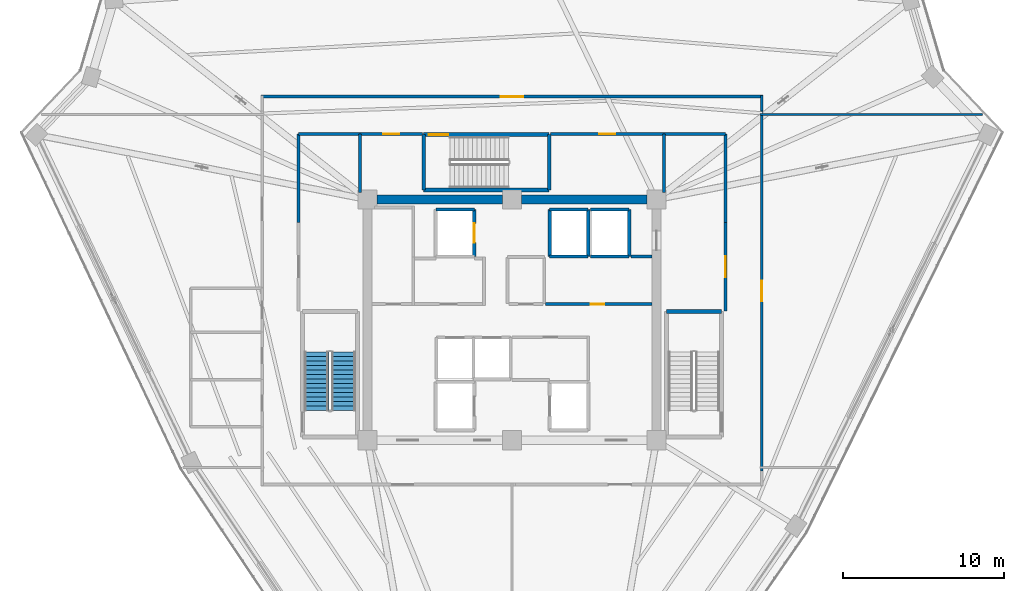
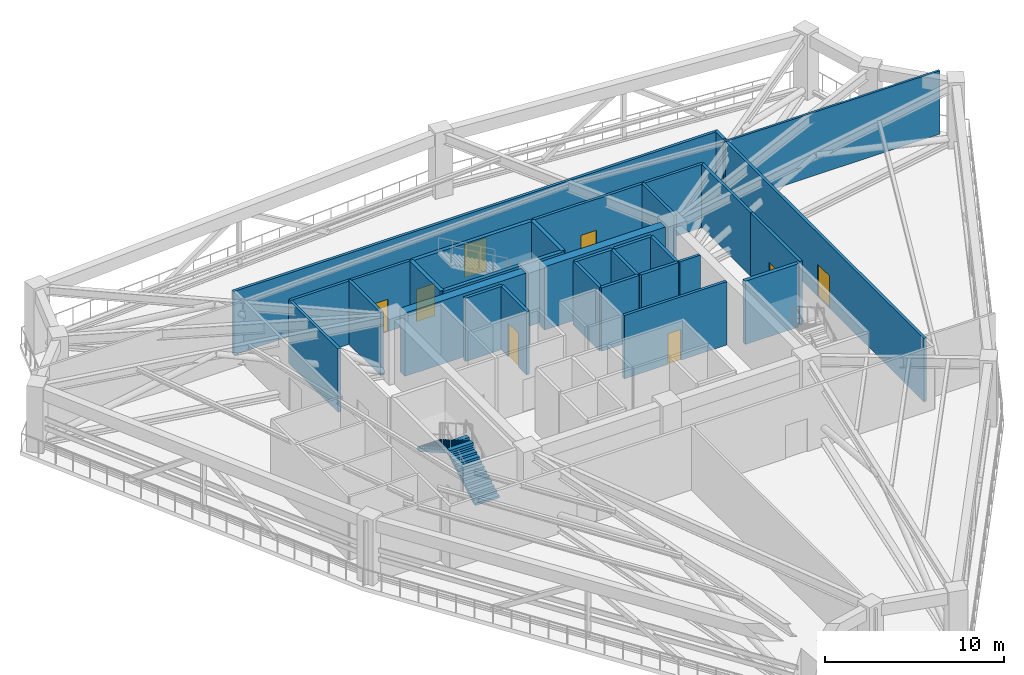
# One storey, part 16 of 22: 31 walls, 8 doors, 2 stair flights, 8 openings, 1 element without a shape of its own.
"""IFC4 building model written with IfcOpenShell, lengths in metres."""

import ifcopenshell
import ifcopenshell.guid

model = None  # the IFC model being written
_history = None  # IfcOwnerHistory: only IFC2X3 demands one
_inside = {}  # id of a spatial element -> (the spatial element, [elements in it])
_under = {}  # id of a project, library or spatial element -> (it, [spatial elements below it])
_declared = {}  # id of a project -> (the project, [libraries it declares])
_typed = {}  # id of a type object -> (the type object, [elements of that type])
_made_of = {}  # id of a material, layer set ... -> (it, [elements and type objects made of it])


def new_model(schema):
    """Start an empty IFC model of exactly this schema.

    Asked for "IFC4X3", IfcOpenShell would pick the latest addendum, in which some entities
    have other attributes; the version numbers below select the first issue.
    IFC2X3 requires an IfcOwnerHistory on every rooted entity: one is made here for all.
    """
    global model, _history
    if schema == "IFC4X3":
        model = ifcopenshell.file(schema_version=(4, 3, 0, 0))
    else:
        model = ifcopenshell.file(schema=schema)
    _inside.clear()
    _under.clear()
    _declared.clear()
    _typed.clear()
    _made_of.clear()
    _history = None
    if model.schema == "IFC2X3":
        org = make("IfcOrganization", Name="unknown")
        user = make(
            "IfcPersonAndOrganization",
            ThePerson=make("IfcPerson", FamilyName="unknown"),
            TheOrganization=org,
        )
        app = make(
            "IfcApplication",
            ApplicationDeveloper=org,
            Version="unknown",
            ApplicationFullName="unknown",
            ApplicationIdentifier="unknown",
        )
        _history = make(
            "IfcOwnerHistory",
            OwningUser=user,
            OwningApplication=app,
            ChangeAction="ADDED",
            CreationDate=0,
        )
    return model


def make(cls, **values):
    """One entity of the class cls with the attributes given. An attribute that is None is left unset."""
    return model.create_entity(
        cls, **{name: value for name, value in values.items() if value is not None}
    )


def rooted(cls, **values):
    """An entity with a GlobalId (a new one), such as an element, a storey or a relation."""
    return make(cls, GlobalId=ifcopenshell.guid.new(), OwnerHistory=_history, **values)


def si_unit(unit_type, name, prefix=None):
    """IfcSIUnit, for example si_unit("LENGTHUNIT", "METRE", prefix="MILLI")."""
    return make("IfcSIUnit", UnitType=unit_type, Prefix=prefix, Name=name)


def assignment(units):
    """IfcUnitAssignment: the units of a project."""
    return None if units is None else make("IfcUnitAssignment", Units=units)


def point(xyz):
    """IfcCartesianPoint."""
    return None if xyz is None else make("IfcCartesianPoint", Coordinates=xyz)


def direction(xyz):
    """IfcDirection."""
    return None if xyz is None else make("IfcDirection", DirectionRatios=xyz)


def frame(location, z_axis=None, x_axis=None):
    """IfcAxis2Placement3D, a coordinate frame: its origin and axes. An axis left out is left unset."""
    return make(
        "IfcAxis2Placement3D",
        Location=point(location),
        Axis=direction(z_axis),
        RefDirection=direction(x_axis),
    )


def frame_2d(location, x_axis=None):
    """IfcAxis2Placement2D, a coordinate frame in the plane: its origin and x axis."""
    return make(
        "IfcAxis2Placement2D", Location=point(location), RefDirection=direction(x_axis)
    )


def origin():
    """The frame at (0, 0, 0) with its axes left unset."""
    return frame((0.0, 0.0, 0.0))


def place(relative_to, where):
    """IfcLocalPlacement: puts the frame where relative to a parent placement (None: the world)."""
    return make(
        "IfcLocalPlacement", PlacementRelTo=relative_to, RelativePlacement=where
    )


def context(
    kind, dimensions, precision=None, world=None, true_north=None, identifier=None
):
    """IfcGeometricRepresentationContext, for example the 3D "Model" context."""
    return make(
        "IfcGeometricRepresentationContext",
        ContextIdentifier=identifier,
        ContextType=kind,
        CoordinateSpaceDimension=dimensions,
        Precision=precision,
        WorldCoordinateSystem=world,
        TrueNorth=true_north,
    )


def subcontext(parent, identifier, kind, view, scale=None):
    """IfcGeometricRepresentationSubContext, for example "Body" below "Model"."""
    return make(
        "IfcGeometricRepresentationSubContext",
        ContextIdentifier=identifier,
        ContextType=kind,
        ParentContext=parent,
        TargetScale=scale,
        TargetView=view,
    )


def project(units=None, contexts=None):
    """IfcProject with its units and contexts."""
    return rooted(
        "IfcProject",
        Name="project",
        RepresentationContexts=contexts,
        UnitsInContext=assignment(units),
    )


def spatial(cls, under=None, at=None, **own):
    """A site, building, storey or space (cls), placed at a placement, below another one or the project."""
    s = rooted(cls, ObjectPlacement=at, **own)
    if under is not None:
        _under.setdefault(under.id(), (under, []))[1].append(s)
    return s


def polyline(points):
    """IfcPolyline through the points."""
    return make("IfcPolyline", Points=[point(p) for p in points])


def profile(cls, at=None, kind="AREA", **sizes):
    """A parametric profile (cls). Its sizes go by their IFC names, for example OverallWidth=200.0."""
    return make(cls, ProfileType=kind, Position=at, **sizes)


def rectangle(**sizes):
    """IfcRectangleProfileDef."""
    return profile("IfcRectangleProfileDef", **sizes)


def outline(outer, holes=None, kind="AREA"):
    """IfcArbitraryClosedProfileDef: a profile drawn as a closed curve; with holes, ...WithVoids."""
    if holes is None:
        return make("IfcArbitraryClosedProfileDef", ProfileType=kind, OuterCurve=outer)
    return make(
        "IfcArbitraryProfileDefWithVoids",
        ProfileType=kind,
        OuterCurve=outer,
        InnerCurves=holes,
    )


def extrude(swept, where, along, depth):
    """IfcExtrudedAreaSolid: the profile swept, set in the frame where, extruded along a direction by depth."""
    return make(
        "IfcExtrudedAreaSolid",
        SweptArea=swept,
        Position=where,
        ExtrudedDirection=direction(along),
        Depth=depth,
    )


def shape(context_of_items, identifier, shape_type, items):
    """IfcShapeRepresentation: the items that make up one representation, for example the "Body"."""
    return make(
        "IfcShapeRepresentation",
        ContextOfItems=context_of_items,
        RepresentationIdentifier=identifier,
        RepresentationType=shape_type,
        Items=items,
    )


def source(mapping_origin, context_of_items, identifier, shape_type, items):
    """IfcRepresentationMap: a shape defined once, which mapped items show again and again."""
    return make(
        "IfcRepresentationMap",
        MappingOrigin=mapping_origin,
        MappedRepresentation=shape(context_of_items, identifier, shape_type, items),
    )


def transform(
    local_origin,
    x_axis=None,
    y_axis=None,
    z_axis=None,
    scale=None,
    scale2=None,
    scale3=None,
    uniform=True,
):
    """IfcCartesianTransformationOperator3D, or its non-uniform kind. x_axis, y_axis, z_axis: its Axis1, 2, 3."""
    if uniform:
        return make(
            "IfcCartesianTransformationOperator3D",
            Axis1=direction(x_axis),
            Axis2=direction(y_axis),
            LocalOrigin=point(local_origin),
            Scale=scale,
            Axis3=direction(z_axis),
        )
    return make(
        "IfcCartesianTransformationOperator3DnonUniform",
        Axis1=direction(x_axis),
        Axis2=direction(y_axis),
        LocalOrigin=point(local_origin),
        Scale=scale,
        Axis3=direction(z_axis),
        Scale2=scale2,
        Scale3=scale3,
    )


def mapped(mapping_source, mapping_target):
    """IfcMappedItem: shows the shape of a source again, moved by a transform."""
    return make(
        "IfcMappedItem", MappingSource=mapping_source, MappingTarget=mapping_target
    )


def material(Name=None, Category=None):
    """IfcMaterial."""
    return make("IfcMaterial", Name=Name, Category=Category)


def layer(
    of_material, thickness, ventilated=None, Name=None, Category=None, Priority=None
):
    """IfcMaterialLayer: one layer of a wall or slab, of a material (None: an air gap)."""
    return make(
        "IfcMaterialLayer",
        Material=of_material,
        LayerThickness=thickness,
        IsVentilated=ventilated,
        Name=Name,
        Category=Category,
        Priority=Priority,
    )


def layer_set(layers, Name=None):
    """IfcMaterialLayerSet."""
    return make("IfcMaterialLayerSet", MaterialLayers=layers, LayerSetName=Name)


def made_of(thing, what):
    """Note that an element or type object is made of a material, layer set ...; save() writes the relation."""
    if what is not None:
        _made_of.setdefault(what.id(), (what, []))[1].append(thing)
    return thing


def type_object(cls, material=None, **own):
    """A type object (cls), such as IfcWallType, which elements share."""
    return made_of(rooted(cls, **own), material)


def element(
    cls,
    number,
    at=None,
    inside=None,
    cuts=None,
    type_object=None,
    material=None,
    context=None,
    identifier="Body",
    shape_type=None,
    held_by="IfcProductDefinitionShape",
    body=None,
    shapes=None,
    **own,
):
    """One element of the class cls, such as IfcWall. Its Tag is "e" and its number.

    at: its placement. inside: the storey or other place that contains it. cuts: it is an
    opening in that element (IfcRelVoidsElement). A single representation is given by context,
    identifier, shape_type and body (its items); several are given by shapes. held_by: the class
    of the entity that holds the representations. save() writes the other relations.
    """
    e = rooted(cls, Tag="e%d" % number, ObjectPlacement=at, **own)
    if body is not None:
        shapes = [shape(context, identifier, shape_type, body)]
    if shapes is not None:
        e.Representation = make(held_by, Representations=shapes)
    if inside is not None:
        _inside.setdefault(inside.id(), (inside, []))[1].append(e)
    if cuts is not None:
        rooted(
            "IfcRelVoidsElement", RelatingBuildingElement=cuts, RelatedOpeningElement=e
        )
    if type_object is not None:
        _typed.setdefault(type_object.id(), (type_object, []))[1].append(e)
    return made_of(e, material)


def fill(opening, filler):
    """IfcRelFillsElement: the door or window that sits in an opening."""
    return rooted(
        "IfcRelFillsElement",
        RelatingOpeningElement=opening,
        RelatedBuildingElement=filler,
    )


def aggregate(whole, parts):
    """IfcRelAggregates: a whole, such as a stair, and the parts it consists of."""
    return rooted("IfcRelAggregates", RelatingObject=whole, RelatedObjects=parts)


def save(model, path):
    """Write the relations noted so far, then the file.

    IfcRelAggregates (storeys below a building ...), IfcRelContainedInSpatialStructure (elements
    in a storey), IfcRelDefinesByType, IfcRelAssociatesMaterial and IfcRelDeclares: one each for
    every whole, place, type object, material and project.
    """
    for whole, parts in _under.values():
        aggregate(whole, parts)
    for where, things in _inside.values():
        rooted(
            "IfcRelContainedInSpatialStructure",
            RelatedElements=things,
            RelatingStructure=where,
        )
    for kind, things in _typed.values():
        rooted("IfcRelDefinesByType", RelatedObjects=things, RelatingType=kind)
    for what, things in _made_of.values():
        rooted("IfcRelAssociatesMaterial", RelatedObjects=things, RelatingMaterial=what)
    for by, libraries in _declared.values():
        rooted("IfcRelDeclares", RelatingContext=by, RelatedDefinitions=libraries)
    model.write(path)


model = new_model("IFC4")

# Units and contexts
model_context = context("Model", 3, precision=1e-05, world=origin(), true_north=direction((0.0, 1.0)))
body_context = subcontext(model_context, "Body", "Model", "MODEL_VIEW")
ifc_project = project(units=[si_unit("LENGTHUNIT", "METRE"), si_unit("AREAUNIT", "SQUARE_METRE"), si_unit("VOLUMEUNIT", "CUBIC_METRE"), si_unit("PLANEANGLEUNIT", "RADIAN"), si_unit("MASSUNIT", "GRAM", prefix="KILO")], contexts=[model_context])

# Site, building, storey
site_placement = place(None, origin())
site = spatial("IfcSite", under=ifc_project, at=site_placement, CompositionType="ELEMENT")
building_placement = place(site_placement, origin())
building = spatial("IfcBuilding", under=site, at=building_placement, Name="Liaohun Quay Tower", CompositionType="ELEMENT")
storey_placement = place(building_placement, frame((0.0, 0.0, 324.0)))
storey = spatial("IfcBuildingStorey", under=building, at=storey_placement, Name="L84", CompositionType="ELEMENT", Elevation=324.0)

# Walls
ifc_material_1 = material(Name="Concrete C50", Category="concrete")
ifc_layer_1 = layer(ifc_material_1, 0.550048828125, Name="Concrete C50", Category="concrete")
ifc_layer_set_1 = layer_set([ifc_layer_1], Name="Concrete C50")
wall_type_1 = type_object("IfcWallType", Name="WAL-COR-Z4", PredefinedType="SHEAR", material=ifc_layer_set_1)
for number, where, z_axis, x_axis, name in (
    (1, (51.60009765625, 61.5, 0.0), (0.0, 0.0, 1.0), (1.0, 0.0, 0.0), "L84 Central Core Shear Wall N-W"),
    (2, (60.60009765625, 61.5, 0.0), (0.0, 0.0, 1.0), (1.0, 0.0, 0.0), "L84 Central Core Shear Wall N-E"),
):
    element("IfcWall", number, at=place(storey_placement, frame(where, z_axis=z_axis, x_axis=x_axis)), inside=storey, type_object=wall_type_1, Name=name, PredefinedType="SHEAR", context=body_context, shape_type="SweptSolid", body=[
        extrude(rectangle(XDim=7.7998046875, YDim=0.550048828125, at=frame_2d((3.89990234375, 0.0))), origin(), (0.0, 0.0, 1.0), 4.320068359375),
    ])

# Wall, opening, door
ifc_material_2 = material(Name="Autoclaved aerated concrete blockwork", Category="masonry")
ifc_layer_2 = layer(ifc_material_2, 0.179931640625, Name="Autoclaved aerated concrete blockwork", Category="masonry")
ifc_layer_set_2 = layer_set([ifc_layer_2], Name="Autoclaved aerated concrete blockwork")
wall_type_2 = type_object("IfcWallType", Name="WAL-PRT-COR", PredefinedType="PARTITIONING", material=ifc_layer_set_2)
wall_1_placement = place(storey_placement, frame((62.10009765625, 54.97998046875, 0.0), z_axis=(0.0, 0.0, 1.0), x_axis=(1.0, 0.0, 0.0)))
wall_1 = element("IfcWall", 3, at=wall_1_placement, inside=storey, type_object=wall_type_2, Name="L84 Interior Partition Wall 004", PredefinedType="PARTITIONING", context=body_context, shape_type="SweptSolid", body=[
    extrude(rectangle(XDim=6.625, YDim=0.179931640625, at=frame_2d((3.3125, 0.0))), origin(), (0.0, 0.0, 1.0), 4.320068359375),
])
shared_shape_1 = source(origin(), body_context, "Body", "SweptSolid", [
    extrude(rectangle(XDim=0.85009765625, YDim=2.10009765625, at=frame_2d((0.425048828125, 1.050048828125))), frame((0.0, 0.099853515625, 0.0), z_axis=(0.0, -1.0, 0.0), x_axis=(1.0, 0.0, 0.0)), (0.0, 0.0, 1.0), 0.199951171875),
])
opening_1_placement = place(wall_1_placement, frame((2.800048828125, 0.0, 0.0)))
opening_1 = element("IfcOpeningElement", 4, at=opening_1_placement, cuts=wall_1, Name="Opening AD1", PredefinedType="OPENING", context=body_context, shape_type="MappedRepresentation", body=[
    mapped(shared_shape_1, transform((0.0, 0.0, 0.0), x_axis=(1.0, 0.0, 0.0), y_axis=(0.0, 1.0, 0.0), z_axis=(0.0, 0.0, 1.0), scale=1.0)),
])
ifc_material_3 = material(Name="Steel riser inspection fire door", Category="steel")
door_type_1 = type_object("IfcDoorType", Name="DOR-SHF-850", OperationType="NOTDEFINED", PredefinedType="DOOR", material=ifc_material_3)
shared_shape_2 = source(origin(), body_context, "Body", "SweptSolid", [
    extrude(rectangle(XDim=0.85009765625, YDim=2.10009765625, at=frame_2d((0.425048828125, 1.050048828125))), frame((0.0, 0.02490234375, 0.0), z_axis=(0.0, -1.0, 0.0), x_axis=(1.0, 0.0, 0.0)), (0.0, 0.0, 1.0), 0.050048828125),
])
door_1_placement = place(opening_1_placement, origin())
door_1 = element("IfcDoor", 5, at=door_1_placement, inside=storey, type_object=door_type_1, Name="L84 Core Facilities and Cleaner Store Door", OperationType="SINGLE_SWING_LEFT", OverallHeight=2.10009765625, OverallWidth=0.85009765625, PredefinedType="DOOR", context=body_context, shape_type="MappedRepresentation", body=[
    mapped(shared_shape_2, transform((0.0, 0.0, 0.0), x_axis=(1.0, 0.0, 0.0), y_axis=(0.0, 1.0, 0.0), z_axis=(0.0, 0.0, 1.0), scale=1.0)),
])
fill(opening_1, door_1)

wall_2_placement = place(storey_placement, frame((50.5400390625, 65.580078125, 0.0), z_axis=(0.0, 0.0, 1.0), x_axis=(1.0, 0.0, 0.0)))
wall_2 = element("IfcWall", 6, at=wall_2_placement, inside=storey, type_object=wall_type_2, Name="L84 Interior Partition Wall 009", PredefinedType="PARTITIONING", context=body_context, shape_type="SweptSolid", body=[
    extrude(rectangle(XDim=3.869873046875, YDim=0.179931640625, at=frame_2d((1.93505859375, 0.0))), origin(), (0.0, 0.0, 1.0), 4.320068359375),
])
shared_shape_3 = source(origin(), body_context, "Body", "SweptSolid", [
    extrude(rectangle(XDim=1.0, YDim=2.199951171875, at=frame_2d((0.5, 1.10009765625))), frame((0.0, 0.099853515625, 0.0), z_axis=(0.0, -1.0, 0.0), x_axis=(1.0, 0.0, 0.0)), (0.0, 0.0, 1.0), 0.199951171875),
])
opening_2_placement = place(wall_2_placement, frame((1.43505859375, 0.0, 0.0)))
opening_2 = element("IfcOpeningElement", 7, at=opening_2_placement, cuts=wall_2, Name="Opening OD1", PredefinedType="OPENING", context=body_context, shape_type="MappedRepresentation", body=[
    mapped(shared_shape_3, transform((0.0, 0.0, 0.0), x_axis=(1.0, 0.0, 0.0), y_axis=(0.0, 1.0, 0.0), z_axis=(0.0, 0.0, 1.0), scale=1.0)),
])
ifc_material_4 = material(Name="Solid-core oak veneer timber leaf in steel frame", Category="steel")
door_type_2 = type_object("IfcDoorType", Name="DOR-OFF-1000", OperationType="NOTDEFINED", PredefinedType="DOOR", material=ifc_material_4)
shared_shape_4 = source(origin(), body_context, "Body", "SweptSolid", [
    extrude(rectangle(XDim=1.0, YDim=2.199951171875, at=frame_2d((0.5, 1.10009765625))), frame((0.0, 0.02490234375, 0.0), z_axis=(0.0, -1.0, 0.0), x_axis=(1.0, 0.0, 0.0)), (0.0, 0.0, 1.0), 0.050048828125),
])
door_2_placement = place(opening_2_placement, origin())
door_2 = element("IfcDoor", 8, at=door_2_placement, inside=storey, type_object=door_type_2, Name="L84 North-West Print and Telecom Room Door", OperationType="SINGLE_SWING_RIGHT", OverallHeight=2.199951171875, OverallWidth=1.0, PredefinedType="DOOR", context=body_context, shape_type="MappedRepresentation", body=[
    mapped(shared_shape_4, transform((0.0, 0.0, 0.0), x_axis=(1.0, 0.0, 0.0), y_axis=(0.0, 1.0, 0.0), z_axis=(0.0, 0.0, 1.0), scale=1.0)),
])
fill(opening_2, door_2)

wall_3_placement = place(storey_placement, frame((62.389892578125, 65.580078125, 0.0), z_axis=(0.0, 0.0, 1.0), x_axis=(1.0, 0.0, 0.0)))
wall_3 = element("IfcWall", 9, at=wall_3_placement, inside=storey, type_object=wall_type_2, Name="L84 Interior Partition Wall 010", PredefinedType="PARTITIONING", context=body_context, shape_type="SweptSolid", body=[
    extrude(rectangle(XDim=7.070068359375, YDim=0.179931640625, at=frame_2d((3.53515625, 0.0))), origin(), (0.0, 0.0, 1.0), 4.320068359375),
])
opening_3_placement = place(wall_3_placement, frame((3.034912109375, 0.0, 0.0)))
opening_3 = element("IfcOpeningElement", 10, at=opening_3_placement, cuts=wall_3, Name="Opening OD1", PredefinedType="OPENING", context=body_context, shape_type="MappedRepresentation", body=[
    mapped(shared_shape_3, transform((0.0, 0.0, 0.0), x_axis=(1.0, 0.0, 0.0), y_axis=(0.0, 1.0, 0.0), z_axis=(0.0, 0.0, 1.0), scale=1.0)),
])
door_3_placement = place(opening_3_placement, origin())
door_3 = element("IfcDoor", 11, at=door_3_placement, inside=storey, type_object=door_type_2, Name="L84 North-East Archive and Mail Room Door", OperationType="SINGLE_SWING_LEFT", OverallHeight=2.199951171875, OverallWidth=1.0, PredefinedType="DOOR", context=body_context, shape_type="MappedRepresentation", body=[
    mapped(shared_shape_4, transform((0.0, 0.0, 0.0), x_axis=(1.0, 0.0, 0.0), y_axis=(0.0, 1.0, 0.0), z_axis=(0.0, 0.0, 1.0), scale=1.0)),
])
fill(opening_3, door_3)

wall_4_placement = place(storey_placement, frame((73.300048828125, 54.5400390625, 0.0), z_axis=(0.0, 0.0, 1.0), x_axis=(0.0, 1.0, 0.0)))
wall_4 = element("IfcWall", 12, at=wall_4_placement, inside=storey, type_object=wall_type_2, Name="L84 Interior Partition Wall 012", PredefinedType="PARTITIONING", context=body_context, shape_type="SweptSolid", body=[
    extrude(rectangle(XDim=5.52001953125, YDim=0.179931640625, at=frame_2d((2.760009765625, 0.0))), origin(), (0.0, 0.0, 1.0), 4.320068359375),
])
shared_shape_5 = source(origin(), body_context, "Body", "SweptSolid", [
    extrude(rectangle(XDim=1.300048828125, YDim=2.199951171875, at=frame_2d((0.64990234375, 1.10009765625))), frame((0.0, 0.099853515625, 0.0), z_axis=(0.0, -1.0, 0.0), x_axis=(1.0, 0.0, 0.0)), (0.0, 0.0, 1.0), 0.199951171875),
])
opening_4_placement = place(wall_4_placement, frame((2.110107421875, 0.0, 0.0)))
opening_4 = element("IfcOpeningElement", 13, at=opening_4_placement, cuts=wall_4, Name="Opening FD1", PredefinedType="OPENING", context=body_context, shape_type="MappedRepresentation", body=[
    mapped(shared_shape_5, transform((0.0, 0.0, 0.0), x_axis=(1.0, 0.0, 0.0), y_axis=(0.0, 1.0, 0.0), z_axis=(0.0, 0.0, 1.0), scale=1.0)),
])
ifc_material_5 = material(Name="Galvanised steel smokeproof fire door", Category="steel")
door_type_3 = type_object("IfcDoorType", Name="DOR-FFL-1300", OperationType="NOTDEFINED", PredefinedType="DOOR", material=ifc_material_5)
shared_shape_6 = source(origin(), body_context, "Body", "SweptSolid", [
    extrude(rectangle(XDim=1.300048828125, YDim=2.199951171875, at=frame_2d((0.64990234375, 1.10009765625))), frame((0.0, 0.02490234375, 0.0), z_axis=(0.0, -1.0, 0.0), x_axis=(1.0, 0.0, 0.0)), (0.0, 0.0, 1.0), 0.050048828125),
])
door_4_placement = place(opening_4_placement, origin())
door_4 = element("IfcDoor", 14, at=door_4_placement, inside=storey, type_object=door_type_3, Name="L84 East Core Vestibule Door", OperationType="SINGLE_SWING_LEFT", OverallHeight=2.199951171875, OverallWidth=1.300048828125, PredefinedType="DOOR", context=body_context, shape_type="MappedRepresentation", body=[
    mapped(shared_shape_6, transform((0.0, 0.0, 0.0), x_axis=(1.0, 0.0, 0.0), y_axis=(0.0, 1.0, 0.0), z_axis=(0.0, 0.0, 1.0), scale=1.0)),
])
fill(opening_4, door_4)

wall_5_placement = place(storey_placement, frame((75.56005859375, 67.014892578125, 0.0), z_axis=(0.0, 0.0, 1.0), x_axis=(0.0, -1.0, 0.0)))
wall_5 = element("IfcWall", 15, at=wall_5_placement, inside=storey, type_object=wall_type_2, Name="L84 Interior Partition Wall 013", PredefinedType="PARTITIONING", context=body_context, shape_type="SweptSolid", body=[
    extrude(rectangle(XDim=22.429931640625, YDim=0.179931640625, at=frame_2d((11.21484375, 0.0))), origin(), (0.0, 0.0, 1.0), 4.320068359375),
])
opening_5_placement = place(wall_5_placement, frame((10.56494140625, 0.0, 0.0)))
opening_5 = element("IfcOpeningElement", 16, at=opening_5_placement, cuts=wall_5, Name="Opening FD1", PredefinedType="OPENING", context=body_context, shape_type="MappedRepresentation", body=[
    mapped(shared_shape_5, transform((0.0, 0.0, 0.0), x_axis=(1.0, 0.0, 0.0), y_axis=(0.0, 1.0, 0.0), z_axis=(0.0, 0.0, 1.0), scale=1.0)),
])
door_5_placement = place(opening_5_placement, origin())
door_5 = element("IfcDoor", 17, at=door_5_placement, inside=storey, type_object=door_type_3, Name="L84 South Pressurised Fire Refuge Area Door", OperationType="SINGLE_SWING_RIGHT", OverallHeight=2.199951171875, OverallWidth=1.300048828125, PredefinedType="DOOR", context=body_context, shape_type="MappedRepresentation", body=[
    mapped(shared_shape_6, transform((0.0, 0.0, 0.0), x_axis=(1.0, 0.0, 0.0), y_axis=(0.0, 1.0, 0.0), z_axis=(0.0, 0.0, 1.0), scale=1.0)),
])
fill(opening_5, door_5)

wall_6_placement = place(storey_placement, frame((44.3701171875, 67.909912109375, 0.0), z_axis=(0.0, 0.0, 1.0), x_axis=(1.0, 0.0, 0.0)))
wall_6 = element("IfcWall", 18, at=wall_6_placement, inside=storey, type_object=wall_type_2, Name="L84 Interior Partition Wall 014", PredefinedType="PARTITIONING", context=body_context, shape_type="SweptSolid", body=[
    extrude(rectangle(XDim=31.259765625, YDim=0.179931640625, at=frame_2d((15.6298828125, 0.0))), origin(), (0.0, 0.0, 1.0), 4.320068359375),
])
shared_shape_7 = source(origin(), body_context, "Body", "SweptSolid", [
    extrude(rectangle(XDim=1.39990234375, YDim=2.25, at=frame_2d((0.699951171875, 1.125))), frame((0.0, 0.099853515625, 0.0), z_axis=(0.0, -1.0, 0.0), x_axis=(1.0, 0.0, 0.0)), (0.0, 0.0, 1.0), 0.199951171875),
])
opening_6_placement = place(wall_6_placement, frame((14.929931640625, 0.0, 0.0)))
opening_6 = element("IfcOpeningElement", 19, at=opening_6_placement, cuts=wall_6, Name="Opening MD1", PredefinedType="OPENING", context=body_context, shape_type="MappedRepresentation", body=[
    mapped(shared_shape_7, transform((0.0, 0.0, 0.0), x_axis=(1.0, 0.0, 0.0), y_axis=(0.0, 1.0, 0.0), z_axis=(0.0, 0.0, 1.0), scale=1.0)),
])
ifc_material_6 = material(Name="Insulated steel plant room door", Category="steel")
door_type_4 = type_object("IfcDoorType", Name="DOR-MEP-1400", OperationType="DOUBLE_DOOR_SINGLE_SWING", PredefinedType="DOOR", material=ifc_material_6)
shared_shape_8 = source(origin(), body_context, "Body", "SweptSolid", [
    extrude(rectangle(XDim=1.39990234375, YDim=2.25, at=frame_2d((0.699951171875, 1.125))), frame((0.0, 0.02490234375, 0.0), z_axis=(0.0, -1.0, 0.0), x_axis=(1.0, 0.0, 0.0)), (0.0, 0.0, 1.0), 0.050048828125),
])
door_6_placement = place(opening_6_placement, origin())
door_6 = element("IfcDoor", 20, at=door_6_placement, inside=storey, type_object=door_type_4, Name="L84 Southwest Zone Electrical Switch Plant Room Door", OperationType="DOUBLE_DOOR_SINGLE_SWING", OverallHeight=2.25, OverallWidth=1.39990234375, PredefinedType="DOOR", context=body_context, shape_type="MappedRepresentation", body=[
    mapped(shared_shape_8, transform((0.0, 0.0, 0.0), x_axis=(1.0, 0.0, 0.0), y_axis=(0.0, 1.0, 0.0), z_axis=(0.0, 0.0, 1.0), scale=1.0)),
])
fill(opening_6, door_6)

# Walls
for number, where, z_axis, x_axis, name in (
    (21, (50.5400390625, 61.949951171875, 0.0), (0.0, 0.0, 1.0), (0.0, 1.0, 0.0), "L84 Interior Partition Wall 026"),
    (22, (69.4599609375, 61.949951171875, 0.0), (0.0, 0.0, 1.0), (0.0, 1.0, 0.0), "L84 Interior Partition Wall 027"),
):
    element("IfcWall", number, at=place(storey_placement, frame(where, z_axis=z_axis, x_axis=x_axis)), inside=storey, type_object=wall_type_2, Name=name, PredefinedType="PARTITIONING", context=body_context, shape_type="SweptSolid", body=[
        extrude(rectangle(XDim=3.630126953125, YDim=0.179931640625, at=frame_2d((1.81494140625, 0.0))), origin(), (0.0, 0.0, 1.0), 4.320068359375),
    ])
for number, where, z_axis, x_axis, name in (
    (23, (46.699951171875, 65.580078125, 0.0), (0.0, 0.0, 1.0), (1.0, 0.0, 0.0), "L84 Interior Partition Wall 028"),
    (24, (69.4599609375, 65.580078125, 0.0), (0.0, 0.0, 1.0), (1.0, 0.0, 0.0), "L84 Interior Partition Wall 029"),
):
    element("IfcWall", number, at=place(storey_placement, frame(where, z_axis=z_axis, x_axis=x_axis)), inside=storey, type_object=wall_type_2, Name=name, PredefinedType="PARTITIONING", context=body_context, shape_type="SweptSolid", body=[
        extrude(rectangle(XDim=3.840087890625, YDim=0.179931640625, at=frame_2d((1.919921875, 0.0))), origin(), (0.0, 0.0, 1.0), 4.320068359375),
    ])
for number, where, z_axis, x_axis, name in (
    (25, (46.699951171875, 60.06005859375, 0.0), (0.0, 0.0, 1.0), (0.0, 1.0, 0.0), "L84 Interior Partition Wall 030"),
    (26, (73.300048828125, 60.06005859375, 0.0), (0.0, 0.0, 1.0), (0.0, 1.0, 0.0), "L84 Interior Partition Wall 031"),
):
    element("IfcWall", number, at=place(storey_placement, frame(where, z_axis=z_axis, x_axis=x_axis)), inside=storey, type_object=wall_type_2, Name=name, PredefinedType="PARTITIONING", context=body_context, shape_type="SweptSolid", body=[
        extrude(rectangle(XDim=5.52001953125, YDim=0.179931640625, at=frame_2d((2.760009765625, 0.0))), origin(), (0.0, 0.0, 1.0), 4.320068359375),
    ])
wall_7_placement = place(storey_placement, frame((75.56005859375, 67.97998046875, 0.0), z_axis=(0.0, 0.0, 1.0), x_axis=(0.0, -1.0, 0.0)))
element("IfcWall", 27, at=wall_7_placement, inside=storey, type_object=wall_type_2, Name="L84 Interior Partition Wall 033", PredefinedType="PARTITIONING", context=body_context, shape_type="SweptSolid", body=[
    extrude(rectangle(XDim=0.965087890625, YDim=0.179931640625, at=frame_2d((0.482421875, 0.0))), origin(), (0.0, 0.0, 1.0), 4.320068359375),
])
wall_8_placement = place(storey_placement, frame((67.39990234375, 57.949951171875, 0.0), z_axis=(0.0, 0.0, 1.0), x_axis=(1.0, 0.0, 0.0)))
element("IfcWall", 28, at=wall_8_placement, inside=storey, type_object=wall_type_2, Name="L84 Interior Partition Wall 050", PredefinedType="PARTITIONING", context=body_context, shape_type="SweptSolid", body=[
    extrude(rectangle(XDim=1.3251953125, YDim=0.179931640625, at=frame_2d((0.66259765625, 0.0))), origin(), (0.0, 0.0, 1.0), 4.320068359375),
])
ifc_material_7 = material(Name="Gypsum board on twin steel studs", Category="steel")
ifc_layer_3 = layer(ifc_material_7, 0.139892578125, Name="Gypsum board on twin steel studs", Category="steel")
ifc_layer_set_3 = layer_set([ifc_layer_3], Name="Gypsum board on twin steel studs")
wall_type_3 = type_object("IfcWallType", Name="WAL-PRT-OFF", PredefinedType="PARTITIONING", material=ifc_layer_set_3)
wall_9_placement = place(storey_placement, frame((75.4599609375, 66.800048828125, 0.0), z_axis=(0.0, 0.0, 1.0), x_axis=(1.0, 0.0, 0.0)))
element("IfcWall", 29, at=wall_9_placement, inside=storey, type_object=wall_type_3, Name="L84 Interior Partition Wall 040", PredefinedType="PARTITIONING", context=body_context, shape_type="SweptSolid", body=[
    extrude(rectangle(XDim=13.839111328125, YDim=0.139892578125, at=frame_2d((6.91943359375, 0.0))), origin(), (0.0, 0.0, 1.0), 4.320068359375),
])
ifc_layer_4 = layer(ifc_material_1, 0.239990234375, Name="Concrete C50", Category="concrete")
ifc_layer_set_4 = layer_set([ifc_layer_4], Name="Concrete C50")
wall_type_4 = type_object("IfcWallType", Name="WAL-SHF-200", PredefinedType="SOLIDWALL", material=ifc_layer_set_4)
wall_10_placement = place(storey_placement, frame((73.06005859375, 54.52001953125, 0.0), z_axis=(0.0, 0.0, 1.0), x_axis=(-1.0, 0.0, 0.0)))
element("IfcWall", 30, at=wall_10_placement, inside=storey, type_object=wall_type_4, Name="L84 Stairwell ST-2 Structural Core Wall N", PredefinedType="SOLIDWALL", context=body_context, shape_type="SweptSolid", body=[
    extrude(rectangle(XDim=3.43994140625, YDim=0.239990234375, at=frame_2d((1.719970703125, 0.0))), origin(), (0.0, 0.0, 1.0), 4.320068359375),
])
wall_11_placement = place(storey_placement, frame((54.5, 62.10009765625, 0.0), z_axis=(0.0, 0.0, 1.0), x_axis=(1.0, 0.0, 0.0)))
element("IfcWall", 31, at=wall_11_placement, inside=storey, type_object=wall_type_4, Name="L84 Stairwell ST-3 Structural Core Wall S", PredefinedType="SOLIDWALL", context=body_context, shape_type="SweptSolid", body=[
    extrude(rectangle(XDim=7.820068359375, YDim=0.239990234375, at=frame_2d((3.91015625, 0.0))), origin(), (0.0, 0.0, 1.0), 4.320068359375),
])
wall_12_placement = place(storey_placement, frame((62.320068359375, 62.10009765625, 0.0), z_axis=(0.0, 0.0, 1.0), x_axis=(0.0, 1.0, 0.0)))
element("IfcWall", 32, at=wall_12_placement, inside=storey, type_object=wall_type_4, Name="L84 Stairwell ST-3 Structural Core Wall E", PredefinedType="SOLIDWALL", context=body_context, shape_type="SweptSolid", body=[
    extrude(rectangle(XDim=3.43994140625, YDim=0.239990234375, at=frame_2d((1.719970703125, 0.0))), origin(), (0.0, 0.0, 1.0), 4.320068359375),
])

# Wall, opening, door
wall_13_placement = place(storey_placement, frame((62.320068359375, 65.5400390625, 0.0), z_axis=(0.0, 0.0, 1.0), x_axis=(-1.0, 0.0, 0.0)))
wall_13 = element("IfcWall", 33, at=wall_13_placement, inside=storey, type_object=wall_type_4, Name="L84 Stairwell ST-3 Structural Core Wall N", PredefinedType="SOLIDWALL", context=body_context, shape_type="SweptSolid", body=[
    extrude(rectangle(XDim=7.820068359375, YDim=0.239990234375, at=frame_2d((3.91015625, 0.0))), origin(), (0.0, 0.0, 1.0), 4.320068359375),
])
shared_shape_9 = source(origin(), body_context, "Body", "SweptSolid", [
    extrude(rectangle(XDim=1.199951171875, YDim=2.199951171875, at=frame_2d((0.60009765625, 1.10009765625))), frame((0.0, 0.1298828125, 0.0), z_axis=(0.0, -1.0, 0.0), x_axis=(1.0, 0.0, 0.0)), (0.0, 0.0, 1.0), 0.260009765625),
])
opening_7_placement = place(wall_13_placement, frame((6.300048828125, 0.0, 0.0)))
opening_7 = element("IfcOpeningElement", 34, at=opening_7_placement, cuts=wall_13, Name="Opening SD1", PredefinedType="OPENING", context=body_context, shape_type="MappedRepresentation", body=[
    mapped(shared_shape_9, transform((0.0, 0.0, 0.0), x_axis=(1.0, 0.0, 0.0), y_axis=(0.0, 1.0, 0.0), z_axis=(0.0, 0.0, 1.0), scale=1.0)),
])
ifc_material_8 = material(Name="Galvanised steel fire door", Category="steel")
door_type_5 = type_object("IfcDoorType", Name="DOR-STR-1200", OperationType="NOTDEFINED", PredefinedType="DOOR", material=ifc_material_8)
shared_shape_10 = source(origin(), body_context, "Body", "SweptSolid", [
    extrude(rectangle(XDim=1.199951171875, YDim=2.199951171875, at=frame_2d((0.60009765625, 1.10009765625))), frame((0.0, 0.02490234375, 0.0), z_axis=(0.0, -1.0, 0.0), x_axis=(1.0, 0.0, 0.0)), (0.0, 0.0, 1.0), 0.050048828125),
])
door_7_placement = place(opening_7_placement, origin())
door_7 = element("IfcDoor", 35, at=door_7_placement, inside=storey, type_object=door_type_5, Name="L84 Protected Stair ST-3 Fire Door", OperationType="SINGLE_SWING_RIGHT", OverallHeight=2.199951171875, OverallWidth=1.199951171875, PredefinedType="DOOR", context=body_context, shape_type="MappedRepresentation", body=[
    mapped(shared_shape_10, transform((0.0, 0.0, 0.0), x_axis=(1.0, 0.0, 0.0), y_axis=(0.0, 1.0, 0.0), z_axis=(0.0, 0.0, 1.0), scale=1.0)),
])
fill(opening_7, door_7)

# Wall
wall_14_placement = place(storey_placement, frame((54.5, 65.5400390625, 0.0), z_axis=(0.0, 0.0, 1.0), x_axis=(0.0, -1.0, 0.0)))
element("IfcWall", 36, at=wall_14_placement, inside=storey, type_object=wall_type_4, Name="L84 Stairwell ST-3 Structural Core Wall W", PredefinedType="SOLIDWALL", context=body_context, shape_type="SweptSolid", body=[
    extrude(rectangle(XDim=3.43994140625, YDim=0.239990234375, at=frame_2d((1.719970703125, 0.0))), origin(), (0.0, 0.0, 1.0), 4.320068359375),
])

# Wall, opening, door
wall_15_placement = place(storey_placement, frame((57.64990234375, 57.949951171875, 0.0), z_axis=(0.0, 0.0, 1.0), x_axis=(0.0, 1.0, 0.0)))
wall_15 = element("IfcWall", 37, at=wall_15_placement, inside=storey, type_object=wall_type_4, Name="L84 Lift FF-03 Hoistway Wall E", PredefinedType="SOLIDWALL", context=body_context, shape_type="SweptSolid", body=[
    extrude(rectangle(XDim=2.929931640625, YDim=0.199951171875, at=frame_2d((1.46484375, 0.0))), origin(), (0.0, 0.0, 1.0), 4.320068359375),
])
shared_shape_11 = source(origin(), body_context, "Body", "SweptSolid", [
    extrude(rectangle(XDim=1.199951171875, YDim=2.300048828125, at=frame_2d((0.60009765625, 1.14990234375))), frame((0.0, 0.10986328125, 0.0), z_axis=(0.0, -1.0, 0.0), x_axis=(1.0, 0.0, 0.0)), (0.0, 0.0, 1.0), 0.219970703125),
])
opening_8_placement = place(wall_15_placement, frame((0.864990234375, 0.0, 0.0)))
opening_8 = element("IfcOpeningElement", 38, at=opening_8_placement, cuts=wall_15, Name="Opening LD2", PredefinedType="OPENING", context=body_context, shape_type="MappedRepresentation", body=[
    mapped(shared_shape_11, transform((0.0, 0.0, 0.0), x_axis=(1.0, 0.0, 0.0), y_axis=(0.0, 1.0, 0.0), z_axis=(0.0, 0.0, 1.0), scale=1.0)),
])
ifc_material_9 = material(Name="Brushed stainless steel stretcher landing door", Category="steel")
door_type_6 = type_object("IfcDoorType", Name="DOR-LFT-1200", OperationType="SLIDING_TO_LEFT", PredefinedType="DOOR", material=ifc_material_9)
shared_shape_12 = source(origin(), body_context, "Body", "SweptSolid", [
    extrude(rectangle(XDim=1.199951171875, YDim=2.300048828125, at=frame_2d((0.60009765625, 1.14990234375))), frame((0.0, 0.02490234375, 0.0), z_axis=(0.0, -1.0, 0.0), x_axis=(1.0, 0.0, 0.0)), (0.0, 0.0, 1.0), 0.050048828125),
])
door_8_placement = place(opening_8_placement, origin())
door_8 = element("IfcDoor", 39, at=door_8_placement, inside=storey, type_object=door_type_6, Name="L84 Lift FF-03 Sliding Landing Door", OperationType="SLIDING_TO_LEFT", OverallHeight=2.300048828125, OverallWidth=1.199951171875, PredefinedType="DOOR", context=body_context, shape_type="MappedRepresentation", body=[
    mapped(shared_shape_12, transform((0.0, 0.0, 0.0), x_axis=(1.0, 0.0, 0.0), y_axis=(0.0, 1.0, 0.0), z_axis=(0.0, 0.0, 1.0), scale=1.0)),
])
fill(opening_8, door_8)

# Walls
for number, where, z_axis, x_axis, name in (
    (40, (57.64990234375, 60.8798828125, 0.0), (0.0, 0.0, 1.0), (-1.0, 0.0, 0.0), "L84 Lift FF-03 Hoistway Wall N"),
    (41, (62.35009765625, 57.949951171875, 0.0), (0.0, 0.0, 1.0), (1.0, 0.0, 0.0), "L84 Lift OB-01 Hoistway Wall S"),
):
    element("IfcWall", number, at=place(storey_placement, frame(where, z_axis=z_axis, x_axis=x_axis)), inside=storey, type_object=wall_type_4, Name=name, PredefinedType="SOLIDWALL", context=body_context, shape_type="SweptSolid", body=[
        extrude(rectangle(XDim=2.39990234375, YDim=0.199951171875, at=frame_2d((1.199951171875, 0.0))), origin(), (0.0, 0.0, 1.0), 4.320068359375),
    ])
wall_16_placement = place(storey_placement, frame((64.75, 57.949951171875, 0.0), z_axis=(0.0, 0.0, 1.0), x_axis=(0.0, 1.0, 0.0)))
element("IfcWall", 42, at=wall_16_placement, inside=storey, type_object=wall_type_4, Name="L84 Lift OB-01 Hoistway Wall E", PredefinedType="SOLIDWALL", context=body_context, shape_type="SweptSolid", body=[
    extrude(rectangle(XDim=2.929931640625, YDim=0.199951171875, at=frame_2d((1.46484375, 0.0))), origin(), (0.0, 0.0, 1.0), 4.320068359375),
])
wall_17_placement = place(storey_placement, frame((64.75, 60.8798828125, 0.0), z_axis=(0.0, 0.0, 1.0), x_axis=(-1.0, 0.0, 0.0)))
element("IfcWall", 43, at=wall_17_placement, inside=storey, type_object=wall_type_4, Name="L84 Lift OB-01 Hoistway Wall N", PredefinedType="SOLIDWALL", context=body_context, shape_type="SweptSolid", body=[
    extrude(rectangle(XDim=2.39990234375, YDim=0.199951171875, at=frame_2d((1.199951171875, 0.0))), origin(), (0.0, 0.0, 1.0), 4.320068359375),
])
wall_18_placement = place(storey_placement, frame((62.35009765625, 60.8798828125, 0.0), z_axis=(0.0, 0.0, 1.0), x_axis=(0.0, -1.0, 0.0)))
element("IfcWall", 44, at=wall_18_placement, inside=storey, type_object=wall_type_4, Name="L84 Lift OB-01 Hoistway Wall W", PredefinedType="SOLIDWALL", context=body_context, shape_type="SweptSolid", body=[
    extrude(rectangle(XDim=2.929931640625, YDim=0.199951171875, at=frame_2d((1.46484375, 0.0))), origin(), (0.0, 0.0, 1.0), 4.320068359375),
])
wall_19_placement = place(storey_placement, frame((64.89990234375, 57.949951171875, 0.0), z_axis=(0.0, 0.0, 1.0), x_axis=(1.0, 0.0, 0.0)))
element("IfcWall", 45, at=wall_19_placement, inside=storey, type_object=wall_type_4, Name="L84 Lift OB-02 Hoistway Wall S", PredefinedType="SOLIDWALL", context=body_context, shape_type="SweptSolid", body=[
    extrude(rectangle(XDim=2.400146484375, YDim=0.199951171875, at=frame_2d((1.2001953125, 0.0))), origin(), (0.0, 0.0, 1.0), 4.320068359375),
])
wall_20_placement = place(storey_placement, frame((67.300048828125, 57.949951171875, 0.0), z_axis=(0.0, 0.0, 1.0), x_axis=(0.0, 1.0, 0.0)))
element("IfcWall", 46, at=wall_20_placement, inside=storey, type_object=wall_type_4, Name="L84 Lift OB-02 Hoistway Wall E", PredefinedType="SOLIDWALL", context=body_context, shape_type="SweptSolid", body=[
    extrude(rectangle(XDim=2.929931640625, YDim=0.199951171875, at=frame_2d((1.46484375, 0.0))), origin(), (0.0, 0.0, 1.0), 4.320068359375),
])
wall_21_placement = place(storey_placement, frame((67.300048828125, 60.8798828125, 0.0), z_axis=(0.0, 0.0, 1.0), x_axis=(-1.0, 0.0, 0.0)))
element("IfcWall", 47, at=wall_21_placement, inside=storey, type_object=wall_type_4, Name="L84 Lift OB-02 Hoistway Wall N", PredefinedType="SOLIDWALL", context=body_context, shape_type="SweptSolid", body=[
    extrude(rectangle(XDim=2.400146484375, YDim=0.199951171875, at=frame_2d((1.2001953125, 0.0))), origin(), (0.0, 0.0, 1.0), 4.320068359375),
])

# Stair, stair flights
ifc_material_10 = material(Name="Concrete C45", Category="concrete")
stair_type = type_object("IfcStairType", Name="STR-CORE-TALL", PredefinedType="HALF_TURN_STAIR", material=ifc_material_10)
stair_placement = place(storey_placement, origin())
stair = element("IfcStair", 48, at=stair_placement, inside=storey, type_object=stair_type, Name="L84 Smokeproof Core Exit Stair ST-1", PredefinedType="HALF_TURN_STAIR")
stair_flight_type = type_object("IfcStairFlightType", Name="FLT-CORE-155", PredefinedType="STRAIGHT", material=ifc_material_10)
stair_flight_1_placement = place(storey_placement, frame((49.5048828125, 48.35009765625, 0.0), z_axis=(0.0, 0.0, 1.0), x_axis=(0.0, 1.0, 0.0)))
stair_flight_1 = element("IfcStairFlight", 49, at=stair_flight_1_placement, type_object=stair_flight_type, Name="ST-1 flight 1", NumberOfRisers=14, NumberOfTreads=13, PredefinedType="STRAIGHT", RiserHeight=0.160714286, TreadLength=0.28, context=body_context, shape_type="SweptSolid", body=[
    extrude(outline(polyline([(0.0, 0.0), (0.0, 0.16064453125), (0.280029296875, 0.16064453125), (0.280029296875, 0.321533203125), (0.56005859375, 0.321533203125), (0.56005859375, 0.482177734375), (0.840087890625, 0.482177734375), (0.840087890625, 0.642822265625), (1.1201171875, 0.642822265625), (1.1201171875, 0.803466796875), (1.39990234375, 0.803466796875), (1.39990234375, 0.96435546875), (1.679931640625, 0.96435546875), (1.679931640625, 1.125), (1.9599609375, 1.125), (1.9599609375, 1.28564453125), (2.239990234375, 1.28564453125), (2.239990234375, 1.446533203125), (2.52001953125, 1.446533203125), (2.52001953125, 1.607177734375), (2.800048828125, 1.607177734375), (2.800048828125, 1.767822265625), (3.080078125, 1.767822265625), (3.080078125, 1.928466796875), (3.360107421875, 1.928466796875), (3.360107421875, 2.08935546875), (3.639892578125, 2.08935546875), (3.639892578125, 2.25), (3.639892578125, 1.91650390625), (0.301025390625, 0.0), (0.0, 0.0)])), frame((0.0, 0.77490234375, 0.0), z_axis=(0.0, -1.0, 0.0), x_axis=(1.0, 0.0, 0.0)), (0.0, 0.0, 1.0), 1.550048828125),
])
stair_flight_2_placement = place(storey_placement, frame((47.81494140625, 51.989990234375, 2.25), z_axis=(0.0, 0.0, 1.0), x_axis=(0.0, -1.0, 0.0)))
stair_flight_2 = element("IfcStairFlight", 50, at=stair_flight_2_placement, type_object=stair_flight_type, Name="ST-1 flight 2", NumberOfRisers=14, NumberOfTreads=13, PredefinedType="STRAIGHT", RiserHeight=0.160714286, TreadLength=0.28, context=body_context, shape_type="SweptSolid", body=[
    extrude(outline(polyline([(0.0, 0.0), (0.0, 0.16064453125), (0.280029296875, 0.16064453125), (0.280029296875, 0.321533203125), (0.56005859375, 0.321533203125), (0.56005859375, 0.482177734375), (0.840087890625, 0.482177734375), (0.840087890625, 0.642822265625), (1.1201171875, 0.642822265625), (1.1201171875, 0.803466796875), (1.39990234375, 0.803466796875), (1.39990234375, 0.96435546875), (1.679931640625, 0.96435546875), (1.679931640625, 1.125), (1.9599609375, 1.125), (1.9599609375, 1.28564453125), (2.239990234375, 1.28564453125), (2.239990234375, 1.446533203125), (2.52001953125, 1.446533203125), (2.52001953125, 1.607177734375), (2.800048828125, 1.607177734375), (2.800048828125, 1.767822265625), (3.080078125, 1.767822265625), (3.080078125, 1.928466796875), (3.360107421875, 1.928466796875), (3.360107421875, 2.08935546875), (3.639892578125, 2.08935546875), (3.639892578125, 2.25), (3.639892578125, 1.91650390625), (0.301025390625, 0.0), (0.0, 0.0)])), frame((0.0, 0.77490234375, 0.0), z_axis=(0.0, -1.0, 0.0), x_axis=(1.0, 0.0, 0.0)), (0.0, 0.0, 1.0), 1.550048828125),
])
aggregate(stair, [stair_flight_1, stair_flight_2])

save(model, "model.ifc")
